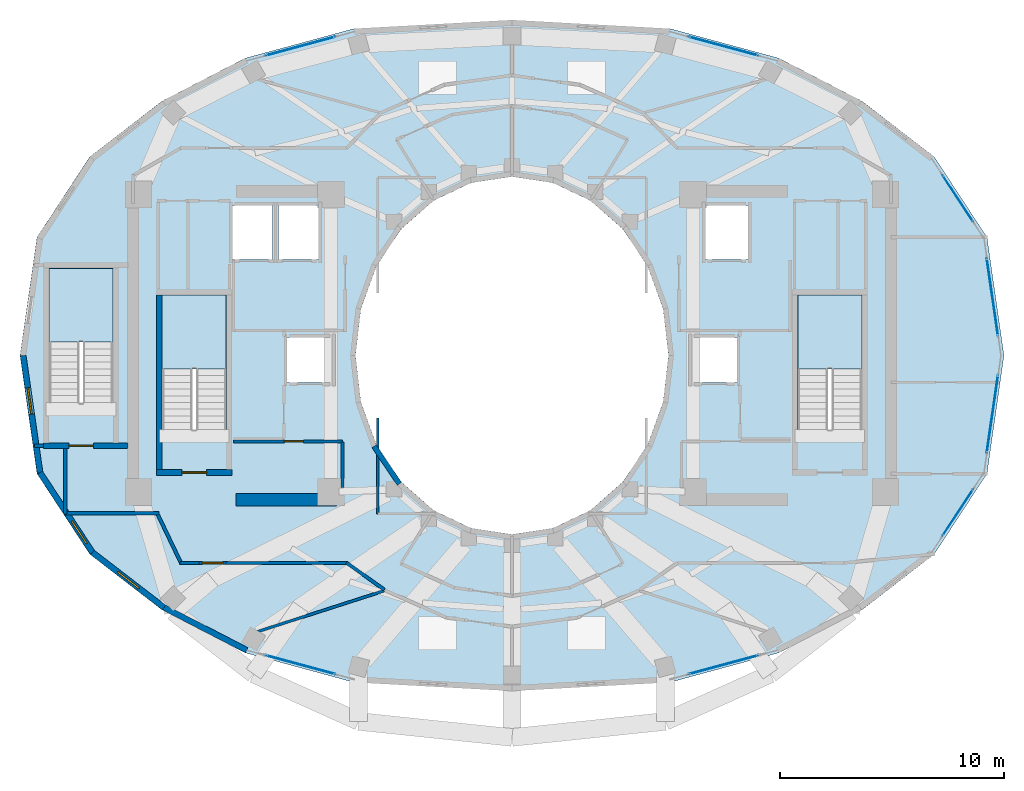
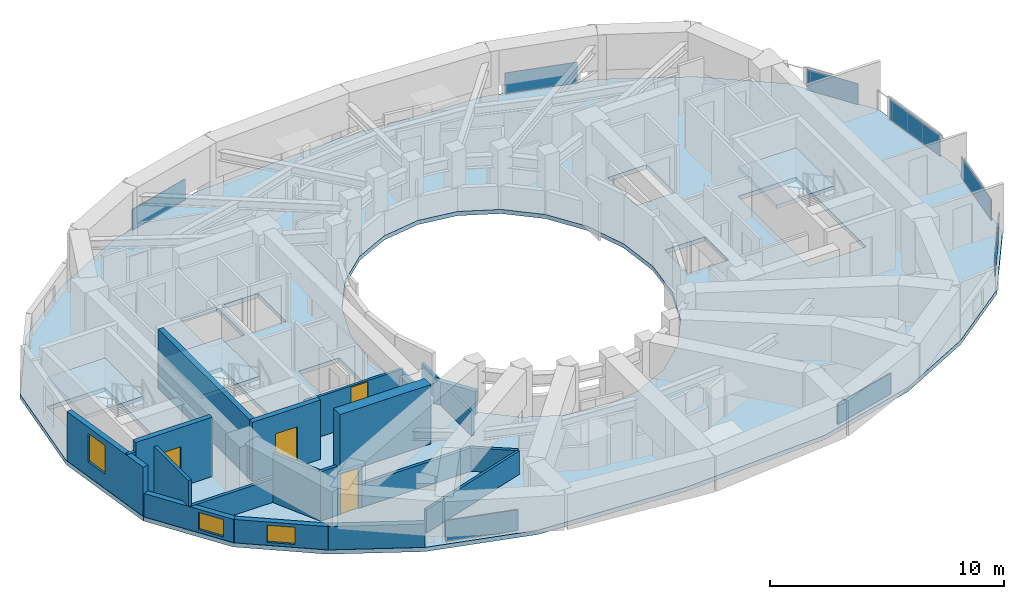
# One storey, part 11 of 19: 21 walls, 8 plates, 4 doors, 4 slabs, 3 windows, 7 openings, 11 elements without a shape of their own.
"""IFC4 building model written with IfcOpenShell, lengths in metres."""

from ifc_helpers import new_model, si_unit, direction, frame, frame_2d, origin, origin_2d, place, context, subcontext, project, spatial, polyline, rectangle, outline, extrude, material, layer, layer_set, type_object, element, fill, aggregate, save


model = new_model("IFC4")

# Units and contexts
model_context = context("Model", 3, precision=1e-05, world=origin(), true_north=direction((0.0, 1.0)))
body_context = subcontext(model_context, "Body", "Model", "MODEL_VIEW")
ifc_project = project(units=[si_unit("LENGTHUNIT", "METRE"), si_unit("AREAUNIT", "SQUARE_METRE"), si_unit("VOLUMEUNIT", "CUBIC_METRE"), si_unit("PLANEANGLEUNIT", "RADIAN"), si_unit("MASSUNIT", "GRAM", prefix="KILO")], contexts=[model_context])

# Site, building, storey
site_placement = place(None, origin())
site = spatial("IfcSite", under=ifc_project, at=site_placement, CompositionType="ELEMENT")
building_placement = place(site_placement, origin())
building = spatial("IfcBuilding", under=site, at=building_placement, Name="Solvane Sanctuary Tower", CompositionType="ELEMENT")
storey_placement = place(building_placement, frame((0.0, 0.0, 207.800048828125)))
storey = spatial("IfcBuildingStorey", under=building, at=storey_placement, Name="L63", CompositionType="ELEMENT", Elevation=207.800048828125)

# Curtain wall, plate
ifc_material_1 = material(Name="Anodised Aluminium 6063-T6", Category="aluminium")
ifc_layer_1 = layer(ifc_material_1, 0.2099609375, Name="Anodised Aluminium 6063-T6")
ifc_layer_set_1 = layer_set([ifc_layer_1], Name="Anodised Aluminium 6063-T6")
curtain_wall_type_1 = type_object("IfcCurtainWallType", Name="Curtain Wall CW-PORTAL", PredefinedType="NOTDEFINED", material=ifc_layer_set_1)
curtain_wall_1_placement = place(storey_placement, origin())
curtain_wall_1 = element("IfcCurtainWall", 1, at=curtain_wall_1_placement, inside=storey, type_object=curtain_wall_type_1, Name="L63 CW-PORTAL Facade Run 00", PredefinedType="NOTDEFINED")
ifc_material_2 = material(Name="Dark Ceramic-Fritted Low-E Glass", Category="glass")
ifc_layer_2 = layer(ifc_material_2, 0.031982421875, Name="Dark Ceramic-Fritted Low-E Glass")
ifc_layer_set_2 = layer_set([ifc_layer_2], Name="Dark Ceramic-Fritted Low-E Glass")
plate_type_1 = type_object("IfcPlateType", Name="Plate PN-FRIT-VIS", PredefinedType="CURTAIN_PANEL", material=ifc_layer_set_2)
plate_1_placement = place(storey_placement, frame((53.482421875, 25.619384765625, 0.06494140625), z_axis=(0.0, 0.0, 1.0), x_axis=(-0.142705117998, 0.989765249591, 0.0)))
plate_1 = element("IfcPlate", 2, at=plate_1_placement, type_object=plate_type_1, Name="CW-PORTAL panel 1.1", PredefinedType="CURTAIN_PANEL", context=body_context, shape_type="SweptSolid", body=[
    extrude(rectangle(XDim=3.5029296875, YDim=0.031982421875, at=origin_2d()), origin(), (0.0, 0.0, 1.0), 1.090087890625),
])
aggregate(curtain_wall_1, [plate_1])

curtain_wall_2_placement = place(storey_placement, origin())
curtain_wall_2 = element("IfcCurtainWall", 3, at=curtain_wall_2_placement, inside=storey, type_object=curtain_wall_type_1, Name="L63 CW-PORTAL Facade Run 01", PredefinedType="NOTDEFINED")
plate_2_placement = place(storey_placement, frame((51.932861328125, 30.02392578125, 0.06494140625), z_axis=(0.0, 0.0, 1.0), x_axis=(-0.548791766298, 0.83595908826, 0.0)))
plate_2 = element("IfcPlate", 4, at=plate_2_placement, type_object=plate_type_1, Name="CW-PORTAL panel 1.1", PredefinedType="CURTAIN_PANEL", context=body_context, shape_type="SweptSolid", body=[
    extrude(rectangle(XDim=2.48095703125, YDim=0.031982421875, at=origin_2d()), origin(), (0.0, 0.0, 1.0), 1.090087890625),
])
aggregate(curtain_wall_2, [plate_2])

curtain_wall_3_placement = place(storey_placement, origin())
curtain_wall_3 = element("IfcCurtainWall", 5, at=curtain_wall_3_placement, inside=storey, type_object=curtain_wall_type_1, Name="L63 CW-PORTAL Facade Run 22", PredefinedType="NOTDEFINED")
plate_3_placement = place(storey_placement, frame((51.932861328125, 15.97607421875, 0.06494140625), z_axis=(0.0, 0.0, 1.0), x_axis=(0.548791766298, 0.83595908826, 0.0)))
plate_3 = element("IfcPlate", 6, at=plate_3_placement, type_object=plate_type_1, Name="CW-PORTAL panel 1.1", PredefinedType="CURTAIN_PANEL", context=body_context, shape_type="SweptSolid", body=[
    extrude(rectangle(XDim=2.48095703125, YDim=0.031982421875, at=origin_2d()), origin(), (0.0, 0.0, 1.0), 1.090087890625),
])
aggregate(curtain_wall_3, [plate_3])

curtain_wall_4_placement = place(storey_placement, origin())
curtain_wall_4 = element("IfcCurtainWall", 7, at=curtain_wall_4_placement, inside=storey, type_object=curtain_wall_type_1, Name="L63 CW-PORTAL Facade Run 23", PredefinedType="NOTDEFINED")
plate_4_placement = place(storey_placement, frame((53.482421875, 20.380615234375, 0.06494140625), z_axis=(0.0, 0.0, 1.0), x_axis=(0.142705117998, 0.989765249591, 0.0)))
plate_4 = element("IfcPlate", 8, at=plate_4_placement, type_object=plate_type_1, Name="CW-PORTAL panel 1.1", PredefinedType="CURTAIN_PANEL", context=body_context, shape_type="SweptSolid", body=[
    extrude(rectangle(XDim=3.5029296875, YDim=0.031982421875, at=origin_2d()), origin(), (0.0, 0.0, 1.0), 1.090087890625),
])
aggregate(curtain_wall_4, [plate_4])

ifc_layer_3 = layer(ifc_material_1, 0.18994140625, Name="Anodised Aluminium 6063-T6")
ifc_layer_set_3 = layer_set([ifc_layer_3], Name="Anodised Aluminium 6063-T6")
curtain_wall_type_2 = type_object("IfcCurtainWallType", Name="Curtain Wall CW-OPER", PredefinedType="NOTDEFINED", material=ifc_layer_set_3)
curtain_wall_5_placement = place(storey_placement, origin())
curtain_wall_5 = element("IfcCurtainWall", 9, at=curtain_wall_5_placement, inside=storey, type_object=curtain_wall_type_2, Name="L63 CW-OPER Facade Run 04", PredefinedType="NOTDEFINED")
ifc_layer_4 = layer(ifc_material_2, 0.0419921875, Name="Dark Ceramic-Fritted Low-E Glass")
ifc_layer_set_4 = layer_set([ifc_layer_4], Name="Dark Ceramic-Fritted Low-E Glass")
plate_type_2 = type_object("IfcPlateType", Name="Plate PN-OPER-VENT", PredefinedType="CURTAIN_PANEL", material=ifc_layer_set_4)
plate_5_placement = place(storey_placement, frame((41.45654296875, 36.830810546875, 0.06494140625), z_axis=(0.0, 0.0, 1.0), x_axis=(-0.965212137728, 0.261468027073, 0.0)))
plate_5 = element("IfcPlate", 10, at=plate_5_placement, type_object=plate_type_2, Name="CW-OPER panel 1.1", PredefinedType="CURTAIN_PANEL", context=body_context, shape_type="SweptSolid", body=[
    extrude(rectangle(XDim=3.2109375, YDim=0.0419921875, at=origin_2d()), origin(), (0.0, 0.0, 1.0), 1.090087890625),
])
aggregate(curtain_wall_5, [plate_5])

curtain_wall_6_placement = place(storey_placement, origin())
curtain_wall_6 = element("IfcCurtainWall", 11, at=curtain_wall_6_placement, inside=storey, type_object=curtain_wall_type_2, Name="L63 CW-OPER Facade Run 07", PredefinedType="NOTDEFINED")
plate_6_placement = place(storey_placement, frame((22.54345703125, 36.830810546875, 0.06494140625), z_axis=(0.0, 0.0, 1.0), x_axis=(-0.965212137728, -0.261468027073, 0.0)))
plate_6 = element("IfcPlate", 12, at=plate_6_placement, type_object=plate_type_2, Name="CW-OPER panel 1.1", PredefinedType="CURTAIN_PANEL", context=body_context, shape_type="SweptSolid", body=[
    extrude(rectangle(XDim=3.2109375, YDim=0.0419921875, at=origin_2d()), origin(), (0.0, 0.0, 1.0), 1.090087890625),
])
aggregate(curtain_wall_6, [plate_6])

curtain_wall_7_placement = place(storey_placement, origin())
curtain_wall_7 = element("IfcCurtainWall", 13, at=curtain_wall_7_placement, inside=storey, type_object=curtain_wall_type_2, Name="L63 CW-OPER Facade Run 16", PredefinedType="NOTDEFINED")
plate_7_placement = place(storey_placement, frame((22.54345703125, 9.169189453125, 0.06494140625), z_axis=(0.0, 0.0, 1.0), x_axis=(0.965212137728, -0.261468027073, 0.0)))
plate_7 = element("IfcPlate", 14, at=plate_7_placement, type_object=plate_type_2, Name="CW-OPER panel 1.1", PredefinedType="CURTAIN_PANEL", context=body_context, shape_type="SweptSolid", body=[
    extrude(rectangle(XDim=3.2109375, YDim=0.0419921875, at=origin_2d()), origin(), (0.0, 0.0, 1.0), 1.090087890625),
])
aggregate(curtain_wall_7, [plate_7])

curtain_wall_8_placement = place(storey_placement, origin())
curtain_wall_8 = element("IfcCurtainWall", 15, at=curtain_wall_8_placement, inside=storey, type_object=curtain_wall_type_2, Name="L63 CW-OPER Facade Run 19", PredefinedType="NOTDEFINED")
plate_8_placement = place(storey_placement, frame((41.45654296875, 9.169189453125, 0.06494140625), z_axis=(0.0, 0.0, 1.0), x_axis=(0.965212137728, 0.261468027073, 0.0)))
plate_8 = element("IfcPlate", 16, at=plate_8_placement, type_object=plate_type_2, Name="CW-OPER panel 1.1", PredefinedType="CURTAIN_PANEL", context=body_context, shape_type="SweptSolid", body=[
    extrude(rectangle(XDim=3.2109375, YDim=0.0419921875, at=origin_2d()), origin(), (0.0, 0.0, 1.0), 1.090087890625),
])
aggregate(curtain_wall_8, [plate_8])

# Stair, slab
ifc_material_3 = material(Name="Concrete C45/55", Category="concrete")
stair_type = type_object("IfcStairType", Name="Stair ST-TOW", PredefinedType="HALF_TURN_STAIR", material=ifc_material_3)
stair_1_placement = place(storey_placement, origin())
stair_1 = element("IfcStair", 17, at=stair_1_placement, inside=storey, type_object=stair_type, Name="L63 Exit Stair ST-1 West Core", PredefinedType="HALF_TURN_STAIR")
ifc_layer_5 = layer(ifc_material_3, 0.199951171875, Name="Concrete C45/55")
ifc_layer_set_5 = layer_set([ifc_layer_5], Name="Concrete C45/55")
slab_type_1 = type_object("IfcSlabType", Name="Slab SL-LAND-180", PredefinedType="LANDING", material=ifc_layer_set_5)
slab_1_placement = place(storey_placement, frame((0.0, 0.0, 1.349853515625)))
slab_1 = element("IfcSlab", 18, at=slab_1_placement, type_object=slab_type_1, Name="ST-1 landing 1", PredefinedType="LANDING", context=body_context, shape_type="SweptSolid", body=[
    extrude(outline(polyline([(19.219970703125, 22.39990234375), (19.219970703125, 25.699951171875), (16.360107421875, 25.699951171875), (16.360107421875, 22.39990234375), (19.219970703125, 22.39990234375)])), origin(), (0.0, 0.0, 1.0), 0.2001953125),
])
aggregate(stair_1, [slab_1])

stair_2_placement = place(storey_placement, origin())
stair_2 = element("IfcStair", 19, at=stair_2_placement, inside=storey, type_object=stair_type, Name="L63 Exit Stair ST-2 East Core", PredefinedType="HALF_TURN_STAIR")
slab_2_placement = place(storey_placement, frame((0.0, 0.0, 1.349853515625)))
slab_2 = element("IfcSlab", 20, at=slab_2_placement, type_object=slab_type_1, Name="ST-2 landing 1", PredefinedType="LANDING", context=body_context, shape_type="SweptSolid", body=[
    extrude(outline(polyline([(47.639892578125, 22.39990234375), (47.639892578125, 25.699951171875), (44.780029296875, 25.699951171875), (44.780029296875, 22.39990234375), (47.639892578125, 22.39990234375)])), origin(), (0.0, 0.0, 1.0), 0.2001953125),
])
aggregate(stair_2, [slab_2])

stair_3_placement = place(storey_placement, origin())
stair_3 = element("IfcStair", 21, at=stair_3_placement, inside=storey, type_object=stair_type, Name="L63 Exit Stair ST-3 Pilgrim Tower Stair", PredefinedType="HALF_TURN_STAIR")
slab_3_placement = place(storey_placement, frame((0.0, 0.0, 1.349853515625)))
slab_3 = element("IfcSlab", 22, at=slab_3_placement, type_object=slab_type_1, Name="ST-3 landing 1", PredefinedType="LANDING", context=body_context, shape_type="SweptSolid", body=[
    extrude(outline(polyline([(14.159912109375, 23.60009765625), (14.159912109375, 26.89990234375), (11.300048828125, 26.89990234375), (11.300048828125, 23.60009765625), (14.159912109375, 23.60009765625)])), origin(), (0.0, 0.0, 1.0), 0.2001953125),
])
aggregate(stair_3, [slab_3])

# Slab
ifc_layer_6 = layer(ifc_material_3, 0.219970703125, Name="Concrete C45/55")
ifc_layer_set_6 = layer_set([ifc_layer_6], Name="Concrete C45/55")
slab_type_2 = type_object("IfcSlabType", Name="Slab SL-TOW-220", PredefinedType="FLOOR", material=ifc_layer_set_6)
slab_4_placement = place(storey_placement, frame((0.0, 0.0, -0.219970703125)))
element("IfcSlab", 23, at=slab_4_placement, inside=storey, type_object=slab_type_2, Name="L63 Primary Structural Slab", PredefinedType="FLOOR", context=body_context, shape_type="SweptSolid", body=[
    extrude(outline(polyline([(54.0, 23.0), (53.239990234375, 28.283935546875), (50.881103515625, 31.885009765625), (47.6572265625, 34.369384765625), (43.946044921875, 36.29052734375), (39.088134765625, 37.609375), (32.0, 38.0), (24.911865234375, 37.609375), (20.053955078125, 36.29052734375), (16.3427734375, 34.369384765625), (13.118896484375, 31.885009765625), (10.760009765625, 28.283935546875), (10.0, 23.0), (10.760009765625, 17.716064453125), (13.118896484375, 14.114990234375), (16.3427734375, 11.630615234375), (20.053955078125, 9.70947265625), (24.911865234375, 8.390625), (32.0, 8.0), (39.088134765625, 8.390625), (43.946044921875, 9.70947265625), (47.6572265625, 11.630615234375), (50.881103515625, 14.114990234375), (53.239990234375, 17.716064453125), (54.0, 23.0)]), holes=[polyline([(38.761474609375, 20.929443359375), (38.062255859375, 19.0), (36.94970703125, 17.343017578125), (35.5, 16.07177734375), (33.811767578125, 15.272705078125), (32.0, 15.0), (30.188232421875, 15.272705078125), (28.5, 16.07177734375), (27.05029296875, 17.343017578125), (25.937744140625, 19.0), (25.238525390625, 20.929443359375), (25.0, 23.0), (25.238525390625, 25.070556640625), (25.937744140625, 27.0), (27.05029296875, 28.656982421875), (28.5, 29.92822265625), (30.188232421875, 30.727294921875), (32.0, 31.0), (33.811767578125, 30.727294921875), (35.5, 29.92822265625), (36.94970703125, 28.656982421875), (38.062255859375, 27.0), (38.761474609375, 25.070556640625), (39.0, 23.0), (38.761474609375, 20.929443359375)]), polyline([(16.360107421875, 19.699951171875), (16.360107421875, 25.699951171875), (19.219970703125, 25.699951171875), (19.219970703125, 19.699951171875), (16.360107421875, 19.699951171875)]), polyline([(44.780029296875, 19.699951171875), (44.780029296875, 25.699951171875), (47.639892578125, 25.699951171875), (47.639892578125, 19.699951171875), (44.780029296875, 19.699951171875)]), polyline([(11.300048828125, 20.89990234375), (11.300048828125, 26.89990234375), (14.159912109375, 26.89990234375), (14.159912109375, 20.89990234375), (11.300048828125, 20.89990234375)]), polyline([(21.949951171875, 23.800048828125), (23.949951171875, 23.800048828125), (23.949951171875, 21.800048828125), (21.949951171875, 21.800048828125), (21.949951171875, 23.800048828125)]), polyline([(40.050048828125, 23.800048828125), (42.050048828125, 23.800048828125), (42.050048828125, 21.800048828125), (40.050048828125, 21.800048828125), (40.050048828125, 23.800048828125)]), polyline([(19.5, 29.699951171875), (21.300048828125, 29.699951171875), (21.300048828125, 27.300048828125), (19.5, 27.300048828125), (19.5, 29.699951171875)]), polyline([(21.550048828125, 29.699951171875), (23.35009765625, 29.699951171875), (23.35009765625, 27.300048828125), (21.550048828125, 27.300048828125), (21.550048828125, 29.699951171875)]), polyline([(40.64990234375, 29.699951171875), (42.550048828125, 29.699951171875), (42.550048828125, 27.300048828125), (40.64990234375, 27.300048828125), (40.64990234375, 29.699951171875)])]), origin(), (0.0, 0.0, 1.0), 0.219970703125),
])

# Walls
ifc_material_4 = material(Name="Concrete C50/60", Category="concrete")
ifc_layer_7 = layer(ifc_material_4, 0.550048828125, Name="Concrete C50/60")
ifc_layer_set_7 = layer_set([ifc_layer_7], Name="Concrete C50/60")
wall_type_1 = type_object("IfcWallType", Name="Wall W-CORE-550", PredefinedType="SHEAR", material=ifc_layer_set_7)
wall_1_placement = place(storey_placement, frame((19.64990234375, 16.550048828125, 0.0), z_axis=(0.0, 0.0, 1.0), x_axis=(1.0, 0.0, 0.0)))
element("IfcWall", 24, at=wall_1_placement, inside=storey, type_object=wall_type_1, Name="L63 Core Shear Wall WC-S", PredefinedType="SHEAR", context=body_context, shape_type="SweptSolid", body=[
    extrude(rectangle(XDim=4.5, YDim=0.550048828125, at=frame_2d((2.25, 0.0))), origin(), (0.0, 0.0, 1.0), 3.099853515625),
])
ifc_material_5 = material(Name="Acoustic Gypsum Partition Board")
ifc_layer_8 = layer(ifc_material_5, 0.14990234375, Name="Acoustic Gypsum Partition Board")
ifc_layer_set_8 = layer_set([ifc_layer_8], Name="Acoustic Gypsum Partition Board")
wall_type_2 = type_object("IfcWallType", Name="Wall W-CORR-150", PredefinedType="PARTITIONING", material=ifc_layer_set_8)
wall_2_placement = place(storey_placement, frame((10.639892578125, 18.969970703125, 0.0), z_axis=(0.0, 0.0, 1.0), x_axis=(1.0, 0.0, 0.0)))
element("IfcWall", 25, at=wall_2_placement, inside=storey, type_object=wall_type_2, Name="L63 SW Corner Closer 1", PredefinedType="PARTITIONING", context=body_context, shape_type="SweptSolid", body=[
    extrude(rectangle(XDim=0.400146484375, YDim=0.14990234375, at=frame_2d((0.2001953125, 0.0))), origin(), (0.0, 0.0, 1.0), 2.574951171875),
])
wall_3_placement = place(storey_placement, frame((12.02001953125, 15.909912109375, 0.0), z_axis=(0.0, 0.0, 1.0), x_axis=(0.0, 1.0, 0.0)))
element("IfcWall", 26, at=wall_3_placement, inside=storey, type_object=wall_type_2, Name="L63 SW Corner Closer 2", PredefinedType="PARTITIONING", context=body_context, shape_type="SweptSolid", body=[
    extrude(rectangle(XDim=2.93017578125, YDim=0.14990234375, at=frame_2d((1.465087890625, 0.0))), origin(), (0.0, 0.0, 1.0), 2.574951171875),
])
wall_4_placement = place(storey_placement, frame((11.97998046875, 15.949951171875, 0.0), z_axis=(0.0, 0.0, 1.0), x_axis=(1.0, 0.0, 0.0)))
element("IfcWall", 27, at=wall_4_placement, inside=storey, type_object=wall_type_2, Name="L63 SW Corner Closer 3", PredefinedType="PARTITIONING", context=body_context, shape_type="SweptSolid", body=[
    extrude(rectangle(XDim=4.239990234375, YDim=0.14990234375, at=frame_2d((2.1201171875, 0.0))), origin(), (0.0, 0.0, 1.0), 1.219970703125),
])
wall_5_placement = place(storey_placement, frame((26.290283203125, 12.527099609375, 0.0), z_axis=(0.0, 0.0, 1.0), x_axis=(-0.813780999276, 0.581171648669, 0.0)))
element("IfcWall", 28, at=wall_5_placement, inside=storey, type_object=wall_type_2, Name="L63 SW Corner Throat Wall", PredefinedType="PARTITIONING", context=body_context, shape_type="SweptSolid", body=[
    extrude(rectangle(XDim=2.082275390625, YDim=0.14990234375, at=frame_2d((1.041015625, 0.0))), origin(), (0.0, 0.0, 1.0), 1.219970703125),
])
wall_6_placement = place(storey_placement, frame((17.14990234375, 13.719970703125, 0.0), z_axis=(0.0, 0.0, 1.0), x_axis=(1.0, 0.0, 0.0)))
element("IfcWall", 29, at=wall_6_placement, inside=storey, type_object=wall_type_2, Name="L63 SW Corner Corridor Wall", PredefinedType="PARTITIONING", context=body_context, shape_type="SweptSolid", body=[
    extrude(rectangle(XDim=0.84619140625, YDim=0.14990234375, at=frame_2d((0.423095703125, 0.0))), origin(), (0.0, 0.0, 1.0), 2.574951171875),
])

# Wall, opening, door
wall_7_placement = place(storey_placement, frame((17.99609375, 13.719970703125, 0.0), z_axis=(0.0, 0.0, 1.0), x_axis=(1.0, 0.0, 0.0)))
wall_7 = element("IfcWall", 30, at=wall_7_placement, inside=storey, type_object=wall_type_2, Name="L63 SW Corner Corridor Wall", PredefinedType="PARTITIONING", context=body_context, shape_type="SweptSolid", body=[
    extrude(rectangle(XDim=1.219970703125, YDim=0.14990234375, at=frame_2d((0.60986328125, 0.0))), origin(), (0.0, 0.0, 1.0), 2.159912109375),
])
opening_1_placement = place(wall_7_placement, frame((0.159912109375, 0.0, 0.0)))
opening_1 = element("IfcOpeningElement", 31, at=opening_1_placement, cuts=wall_7, Name="Opening D-L63-22", PredefinedType="OPENING", context=body_context, shape_type="SweptSolid", body=[
    extrude(rectangle(XDim=0.89990234375, YDim=2.10009765625, at=frame_2d((0.449951171875, 1.050048828125))), frame((0.0, 0.0849609375, 0.0), z_axis=(0.0, -1.0, 0.0), x_axis=(1.0, 0.0, 0.0)), (0.0, 0.0, 1.0), 0.169921875),
])
ifc_material_6 = material(Name="Engineered Tropical Hardwood", Category="wood")
door_type_1 = type_object("IfcDoorType", Name="Door D-WET-900", OperationType="NOTDEFINED", PredefinedType="DOOR", material=ifc_material_6)
door_1_placement = place(opening_1_placement, origin())
door_1 = element("IfcDoor", 32, at=door_1_placement, inside=storey, type_object=door_type_1, Name="L63 SW Corner Salon Door", OperationType="SINGLE_SWING_RIGHT", OverallHeight=2.10009765625, OverallWidth=0.89990234375, PredefinedType="DOOR", context=body_context, shape_type="SweptSolid", body=[
    extrude(rectangle(XDim=0.89990234375, YDim=2.10009765625, at=frame_2d((0.449951171875, 1.050048828125))), frame((0.0, 0.02490234375, 0.0), z_axis=(0.0, -1.0, 0.0), x_axis=(1.0, 0.0, 0.0)), (0.0, 0.0, 1.0), 0.050048828125),
])
fill(opening_1, door_1)

# Walls
wall_8_placement = place(storey_placement, frame((19.216064453125, 13.719970703125, 0.0), z_axis=(0.0, 0.0, 1.0), x_axis=(1.0, 0.0, 0.0)))
element("IfcWall", 33, at=wall_8_placement, inside=storey, type_object=wall_type_2, Name="L63 SW Corner Corridor Wall", PredefinedType="PARTITIONING", context=body_context, shape_type="SweptSolid", body=[
    extrude(rectangle(XDim=5.453857421875, YDim=0.14990234375, at=frame_2d((2.72705078125, 0.0))), origin(), (0.0, 0.0, 1.0), 1.219970703125),
])
wall_9_placement = place(storey_placement, frame((17.2216796875, 13.6748046875, 0.0), z_axis=(0.0, 0.0, 1.0), x_axis=(-0.431973389813, 0.901886351207, 0.0)))
element("IfcWall", 34, at=wall_9_placement, inside=storey, type_object=wall_type_2, Name="L63 SW Corner Wing Wall", PredefinedType="PARTITIONING", context=body_context, shape_type="SweptSolid", body=[
    extrude(rectangle(XDim=2.45166015625, YDim=0.14990234375, at=frame_2d((1.225830078125, 0.0))), origin(), (0.0, 0.0, 1.0), 2.574951171875),
])

# Wall, opening, window
ifc_material_7 = material(Name="Precast concrete C40/50", Category="concrete")
ifc_layer_9 = layer(ifc_material_7, 0.260009765625, Name="Precast concrete C40/50")
ifc_layer_set_9 = layer_set([ifc_layer_9], Name="Precast concrete C40/50")
wall_type_3 = type_object("IfcWallType", Name="Wall W-EXT-250", PredefinedType="STANDARD", material=ifc_layer_set_9)
wall_10_placement = place(storey_placement, frame((10.139892578125, 23.0, 0.0), z_axis=(0.0, 0.0, 1.0), x_axis=(0.142712754019, -0.989764148593, 0.0)))
wall_10 = element("IfcWall", 35, at=wall_10_placement, inside=storey, type_object=wall_type_3, Name="L63 Ceramic-Printed Facade Wall 12", PredefinedType="STANDARD", context=body_context, shape_type="SweptSolid", body=[
    extrude(rectangle(XDim=5.29296875, YDim=0.260009765625, at=frame_2d((2.646484375, 0.0))), origin(), (0.0, 0.0, 1.0), 2.570068359375),
])
opening_2_placement = place(wall_10_placement, frame((1.4580078125, 0.0, 0.75)))
opening_2 = element("IfcOpeningElement", 36, at=opening_2_placement, cuts=wall_10, Name="Opening WN-OPER-1200", PredefinedType="OPENING", context=body_context, shape_type="SweptSolid", body=[
    extrude(rectangle(XDim=1.199951171875, YDim=1.5, at=frame_2d((0.60009765625, 0.75))), frame((0.0, 0.139892578125, 0.0), z_axis=(0.0, -1.0, 0.0), x_axis=(1.0, 0.0, 0.0)), (0.0, 0.0, 1.0), 0.280029296875),
])
window_type = type_object("IfcWindowType", Name="Window WN-OPER-1200", PartitioningType="SINGLE_PANEL", PredefinedType="WINDOW", material=ifc_material_2)
window_1_placement = place(opening_2_placement, origin())
window_1 = element("IfcWindow", 37, at=window_1_placement, inside=storey, type_object=window_type, Name="L63 Operable Facade Window 12", OverallHeight=1.5, OverallWidth=1.199951171875, PartitioningType="SINGLE_PANEL", PredefinedType="WINDOW", context=body_context, shape_type="SweptSolid", body=[
    extrude(rectangle(XDim=1.199951171875, YDim=1.5, at=frame_2d((0.60009765625, 0.75))), frame((0.0, 0.030029296875, 0.0), z_axis=(0.0, -1.0, 0.0), x_axis=(1.0, 0.0, 0.0)), (0.0, 0.0, 1.0), 0.06005859375),
])
fill(opening_2, window_1)

wall_11_placement = place(storey_placement, frame((10.895263671875, 17.76123046875, 0.0), z_axis=(0.0, 0.0, 1.0), x_axis=(0.548776305075, -0.835969238064, 0.0)))
wall_11 = element("IfcWall", 38, at=wall_11_placement, inside=storey, type_object=wall_type_3, Name="L63 Ceramic-Printed Facade Wall 13", PredefinedType="STANDARD", context=body_context, shape_type="SweptSolid", body=[
    extrude(rectangle(XDim=4.270751953125, YDim=0.260009765625, at=frame_2d((2.13525390625, 0.0))), origin(), (0.0, 0.0, 1.0), 1.219970703125),
])
opening_3_placement = place(wall_11_placement, frame((2.59375, 0.0, 0.14990234375)))
opening_3 = element("IfcOpeningElement", 39, at=opening_3_placement, cuts=wall_11, Name="Opening WN-OPER-1200", PredefinedType="OPENING", context=body_context, shape_type="SweptSolid", body=[
    extrude(rectangle(XDim=1.199951171875, YDim=0.89990234375, at=frame_2d((0.60009765625, 0.449951171875))), frame((0.0, 0.139892578125, 0.0), z_axis=(0.0, -1.0, 0.0), x_axis=(1.0, 0.0, 0.0)), (0.0, 0.0, 1.0), 0.280029296875),
])
window_2_placement = place(opening_3_placement, origin())
window_2 = element("IfcWindow", 40, at=window_2_placement, inside=storey, type_object=window_type, Name="L63 Operable Facade Window 13", OverallHeight=0.89990234375, OverallWidth=1.199951171875, PartitioningType="SINGLE_PANEL", PredefinedType="WINDOW", context=body_context, shape_type="SweptSolid", body=[
    extrude(rectangle(XDim=1.199951171875, YDim=0.89990234375, at=frame_2d((0.60009765625, 0.449951171875))), frame((0.0, 0.030029296875, 0.0), z_axis=(0.0, -1.0, 0.0), x_axis=(1.0, 0.0, 0.0)), (0.0, 0.0, 1.0), 0.06005859375),
])
fill(opening_3, window_2)

wall_12_placement = place(storey_placement, frame((13.239013671875, 14.19091796875, 0.0), z_axis=(0.0, 0.0, 1.0), x_axis=(0.792713817907, -0.609593965603, 0.0)))
wall_12 = element("IfcWall", 41, at=wall_12_placement, inside=storey, type_object=wall_type_3, Name="L63 Ceramic-Printed Facade Wall 14", PredefinedType="STANDARD", context=body_context, shape_type="SweptSolid", body=[
    extrude(rectangle(XDim=4.041015625, YDim=0.260009765625, at=frame_2d((2.0205078125, 0.0))), origin(), (0.0, 0.0, 1.0), 1.219970703125),
])
opening_4_placement = place(wall_12_placement, frame((1.42041015625, 0.0, 0.14990234375)))
opening_4 = element("IfcOpeningElement", 42, at=opening_4_placement, cuts=wall_12, Name="Opening WN-OPER-1200", PredefinedType="OPENING", context=body_context, shape_type="SweptSolid", body=[
    extrude(rectangle(XDim=1.199951171875, YDim=0.89990234375, at=frame_2d((0.60009765625, 0.449951171875))), frame((0.0, 0.139892578125, 0.0), z_axis=(0.0, -1.0, 0.0), x_axis=(1.0, 0.0, 0.0)), (0.0, 0.0, 1.0), 0.280029296875),
])
window_3_placement = place(opening_4_placement, origin())
window_3 = element("IfcWindow", 43, at=window_3_placement, inside=storey, type_object=window_type, Name="L63 Operable Facade Window 14", OverallHeight=0.89990234375, OverallWidth=1.199951171875, PartitioningType="SINGLE_PANEL", PredefinedType="WINDOW", context=body_context, shape_type="SweptSolid", body=[
    extrude(rectangle(XDim=1.199951171875, YDim=0.89990234375, at=frame_2d((0.60009765625, 0.449951171875))), frame((0.0, 0.030029296875, 0.0), z_axis=(0.0, -1.0, 0.0), x_axis=(1.0, 0.0, 0.0)), (0.0, 0.0, 1.0), 0.06005859375),
])
fill(opening_4, window_3)

# Walls
wall_13_placement = place(storey_placement, frame((16.4423828125, 11.7275390625, 0.0), z_axis=(0.0, 0.0, 1.0), x_axis=(0.88849146803, -0.458893137057, 0.0)))
element("IfcWall", 44, at=wall_13_placement, inside=storey, type_object=wall_type_3, Name="L63 Ceramic-Printed Facade Wall 15", PredefinedType="STANDARD", context=body_context, shape_type="SweptSolid", body=[
    extrude(rectangle(XDim=4.150390625, YDim=0.260009765625, at=frame_2d((2.0751953125, 0.0))), origin(), (0.0, 0.0, 1.0), 1.219970703125),
])
ifc_layer_10 = layer(ifc_material_7, 0.22998046875, Name="Precast concrete C40/50")
ifc_layer_set_10 = layer_set([ifc_layer_10], Name="Precast concrete C40/50")
wall_type_4 = type_object("IfcWallType", Name="Wall W-EXT-SP220", PredefinedType="STANDARD", material=ifc_layer_set_10)
wall_14_placement = place(storey_placement, frame((25.833984375, 18.93994140625, 0.0), z_axis=(0.0, 0.0, 1.0), x_axis=(0.558197800898, -0.829707909492, 0.0)))
element("IfcWall", 45, at=wall_14_placement, inside=storey, type_object=wall_type_4, Name="L63 Central Light-Well Wall 14", PredefinedType="STANDARD", context=body_context, shape_type="SweptSolid", body=[
    extrude(rectangle(XDim=2.02685546875, YDim=0.22998046875, at=frame_2d((1.013427734375, 0.0))), origin(), (0.0, 0.0, 1.0), 1.219970703125),
])

# Wall, opening, door
ifc_layer_11 = layer(ifc_material_5, 0.125, Name="Acoustic Gypsum Partition Board")
ifc_layer_set_11 = layer_set([ifc_layer_11], Name="Acoustic Gypsum Partition Board")
wall_type_5 = type_object("IfcWallType", Name="Wall W-PART-125", PredefinedType="PARTITIONING", material=ifc_layer_set_11)
wall_15_placement = place(storey_placement, frame((19.550048828125, 19.159912109375, 0.0), z_axis=(0.0, 0.0, 1.0), x_axis=(1.0, 0.0, 0.0)))
wall_15 = element("IfcWall", 46, at=wall_15_placement, inside=storey, type_object=wall_type_5, Name="L63 Reclaimed Room Partition PLW", PredefinedType="PARTITIONING", context=body_context, shape_type="SweptSolid", body=[
    extrude(rectangle(XDim=4.869873046875, YDim=0.125, at=frame_2d((2.43505859375, 0.0))), origin(), (0.0, 0.0, 1.0), 2.119873046875),
])
opening_5_placement = place(wall_15_placement, frame((2.271728515625, 0.0, 0.0)))
opening_5 = element("IfcOpeningElement", 47, at=opening_5_placement, cuts=wall_15, Name="Opening D-L63-06", PredefinedType="OPENING", context=body_context, shape_type="SweptSolid", body=[
    extrude(rectangle(XDim=0.85009765625, YDim=2.050048828125, at=frame_2d((0.425048828125, 1.02490234375))), frame((0.0, 0.072509765625, 0.0), z_axis=(0.0, -1.0, 0.0), x_axis=(1.0, 0.0, 0.0)), (0.0, 0.0, 1.0), 0.14501953125),
])
ifc_material_8 = material(Name="Architectural Stainless Steel 316", Category="steel")
door_type_2 = type_object("IfcDoorType", Name="Door D-RISER", OperationType="NOTDEFINED", PredefinedType="DOOR", material=ifc_material_8)
door_2_placement = place(opening_5_placement, origin())
door_2 = element("IfcDoor", 48, at=door_2_placement, inside=storey, type_object=door_type_2, Name="L63 Reclaimed Room Door PLW-1", OperationType="SINGLE_SWING_RIGHT", OverallHeight=2.050048828125, OverallWidth=0.85009765625, PredefinedType="DOOR", context=body_context, shape_type="SweptSolid", body=[
    extrude(rectangle(XDim=0.85009765625, YDim=2.050048828125, at=frame_2d((0.425048828125, 1.02490234375))), frame((0.0, 0.02490234375, 0.0), z_axis=(0.0, -1.0, 0.0), x_axis=(1.0, 0.0, 0.0)), (0.0, 0.0, 1.0), 0.050048828125),
])
fill(opening_5, door_2)

# Walls
wall_16_placement = place(storey_placement, frame((24.419921875, 17.10009765625, 0.0), z_axis=(0.0, 0.0, 1.0), x_axis=(0.0, 1.0, 0.0)))
element("IfcWall", 49, at=wall_16_placement, inside=storey, type_object=wall_type_5, Name="L63 Reclaimed Room Closer Wall PLW-1", PredefinedType="PARTITIONING", context=body_context, shape_type="SweptSolid", body=[
    extrude(rectangle(XDim=2.039794921875, YDim=0.125, at=frame_2d((1.02001953125, 0.0))), origin(), (0.0, 0.0, 1.0), 1.951904296875),
])
wall_17_placement = place(storey_placement, frame((26.0, 15.919921875, 0.0), z_axis=(0.0, 0.0, 1.0), x_axis=(0.0, 1.0, 0.0)))
element("IfcWall", 50, at=wall_17_placement, inside=storey, type_object=wall_type_5, Name="L63 Bridge Alcove Wall 5", PredefinedType="PARTITIONING", context=body_context, shape_type="SweptSolid", body=[
    extrude(rectangle(XDim=4.280029296875, YDim=0.125, at=frame_2d((2.14013671875, 0.0))), origin(), (0.0, 0.0, 1.0), 1.219970703125),
])
wall_18_placement = place(storey_placement, frame((26.28271484375, 12.478271484375, 0.0), z_axis=(0.0, 0.0, 1.0), x_axis=(-0.951711719757, -0.306993163568, 0.0)))
element("IfcWall", 51, at=wall_18_placement, inside=storey, type_object=wall_type_5, Name="L63 Radial Compartment Wall 240", PredefinedType="PARTITIONING", context=body_context, shape_type="SweptSolid", body=[
    extrude(rectangle(XDim=5.934326171875, YDim=0.125, at=frame_2d((2.96728515625, 0.0))), origin(), (0.0, 0.0, 1.0), 1.219970703125),
])

# Wall, opening, door
ifc_layer_12 = layer(ifc_material_4, 0.25, Name="Concrete C50/60")
ifc_layer_set_12 = layer_set([ifc_layer_12], Name="Concrete C50/60")
wall_type_6 = type_object("IfcWallType", Name="Wall W-SHAFT-250", PredefinedType="SOLIDWALL", material=ifc_layer_set_12)
wall_19_placement = place(storey_placement, frame((16.10498046875, 17.77001953125, 0.0), z_axis=(0.0, 0.0, 1.0), x_axis=(1.0, 0.0, 0.0)))
wall_19 = element("IfcWall", 52, at=wall_19_placement, inside=storey, type_object=wall_type_6, Name="L63 ST-1 Load-Bearing Shaft Wall S", PredefinedType="SOLIDWALL", context=body_context, shape_type="SweptSolid", body=[
    extrude(rectangle(XDim=3.3701171875, YDim=0.25, at=frame_2d((1.68505859375, 0.0))), origin(), (0.0, 0.0, 1.0), 3.099853515625),
])
opening_6_placement = place(wall_19_placement, frame((1.135009765625, 0.0, 0.0)))
opening_6 = element("IfcOpeningElement", 53, at=opening_6_placement, cuts=wall_19, Name="Opening D-L63-01", PredefinedType="OPENING", context=body_context, shape_type="SweptSolid", body=[
    extrude(rectangle(XDim=1.10009765625, YDim=2.10009765625, at=frame_2d((0.550048828125, 1.050048828125))), frame((0.0, 0.135009765625, 0.0), z_axis=(0.0, -1.0, 0.0), x_axis=(1.0, 0.0, 0.0)), (0.0, 0.0, 1.0), 0.27001953125),
])
door_type_3 = type_object("IfcDoorType", Name="Door D-STAIR", OperationType="NOTDEFINED", PredefinedType="DOOR", material=ifc_material_8)
door_3_placement = place(opening_6_placement, origin())
door_3 = element("IfcDoor", 54, at=door_3_placement, inside=storey, type_object=door_type_3, Name="L63 ST-1 Exit Stair Fire Door", OperationType="SINGLE_SWING_LEFT", OverallHeight=2.10009765625, OverallWidth=1.10009765625, PredefinedType="DOOR", context=body_context, shape_type="SweptSolid", body=[
    extrude(rectangle(XDim=1.10009765625, YDim=2.10009765625, at=frame_2d((0.550048828125, 1.050048828125))), frame((0.0, 0.02490234375, 0.0), z_axis=(0.0, -1.0, 0.0), x_axis=(1.0, 0.0, 0.0)), (0.0, 0.0, 1.0), 0.050048828125),
])
fill(opening_6, door_3)

# Wall
wall_20_placement = place(storey_placement, frame((16.22998046875, 17.89501953125, 0.0), z_axis=(0.0, 0.0, 1.0), x_axis=(0.0, 1.0, 0.0)))
element("IfcWall", 55, at=wall_20_placement, inside=storey, type_object=wall_type_6, Name="L63 ST-1 Load-Bearing Shaft Wall W", PredefinedType="SOLIDWALL", context=body_context, shape_type="SweptSolid", body=[
    extrude(rectangle(XDim=7.81005859375, YDim=0.25, at=frame_2d((3.905029296875, 0.0))), origin(), (0.0, 0.0, 1.0), 3.099853515625),
])

# Wall, opening, door
wall_21_placement = place(storey_placement, frame((11.044921875, 18.969970703125, 0.0), z_axis=(0.0, 0.0, 1.0), x_axis=(1.0, 0.0, 0.0)))
wall_21 = element("IfcWall", 56, at=wall_21_placement, inside=storey, type_object=wall_type_6, Name="L63 ST-3 Load-Bearing Shaft Wall S", PredefinedType="SOLIDWALL", context=body_context, shape_type="SweptSolid", body=[
    extrude(rectangle(XDim=3.781982421875, YDim=0.25, at=frame_2d((1.89111328125, 0.0))), origin(), (0.0, 0.0, 1.0), 3.099853515625),
])
opening_7_placement = place(wall_21_placement, frame((1.135009765625, 0.0, 0.0)))
opening_7 = element("IfcOpeningElement", 57, at=opening_7_placement, cuts=wall_21, Name="Opening D-L63-03", PredefinedType="OPENING", context=body_context, shape_type="SweptSolid", body=[
    extrude(rectangle(XDim=1.10009765625, YDim=2.10009765625, at=frame_2d((0.550048828125, 1.050048828125))), frame((0.0, 0.135009765625, 0.0), z_axis=(0.0, -1.0, 0.0), x_axis=(1.0, 0.0, 0.0)), (0.0, 0.0, 1.0), 0.27001953125),
])
door_4_placement = place(opening_7_placement, origin())
door_4 = element("IfcDoor", 58, at=door_4_placement, inside=storey, type_object=door_type_3, Name="L63 ST-3 Exit Stair Fire Door", OperationType="SINGLE_SWING_LEFT", OverallHeight=2.10009765625, OverallWidth=1.10009765625, PredefinedType="DOOR", context=body_context, shape_type="SweptSolid", body=[
    extrude(rectangle(XDim=1.10009765625, YDim=2.10009765625, at=frame_2d((0.550048828125, 1.050048828125))), frame((0.0, 0.02490234375, 0.0), z_axis=(0.0, -1.0, 0.0), x_axis=(1.0, 0.0, 0.0)), (0.0, 0.0, 1.0), 0.050048828125),
])
fill(opening_7, door_4)

save(model, "model.ifc")
